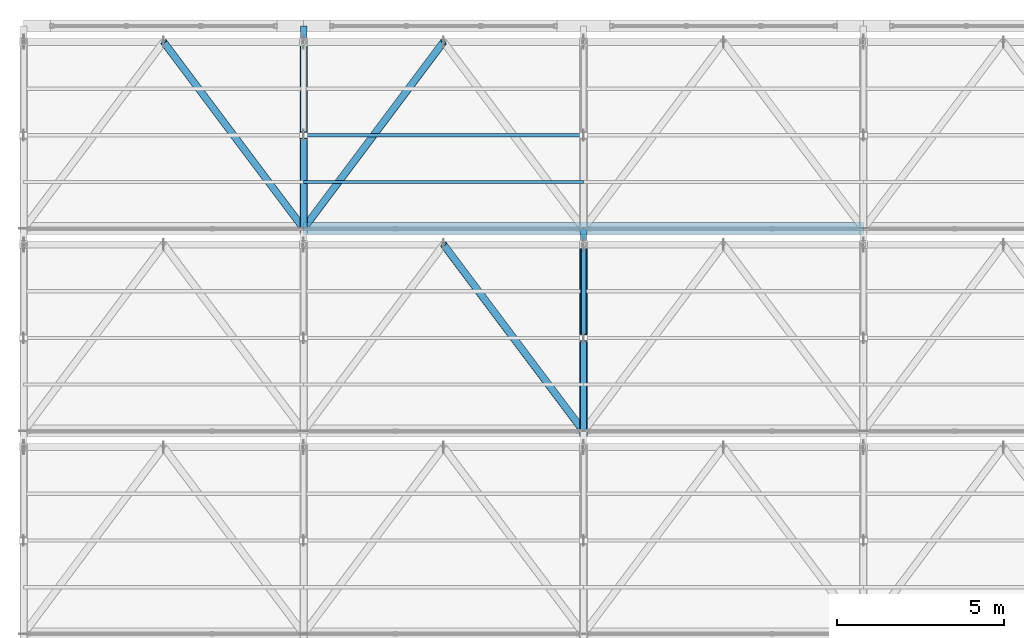
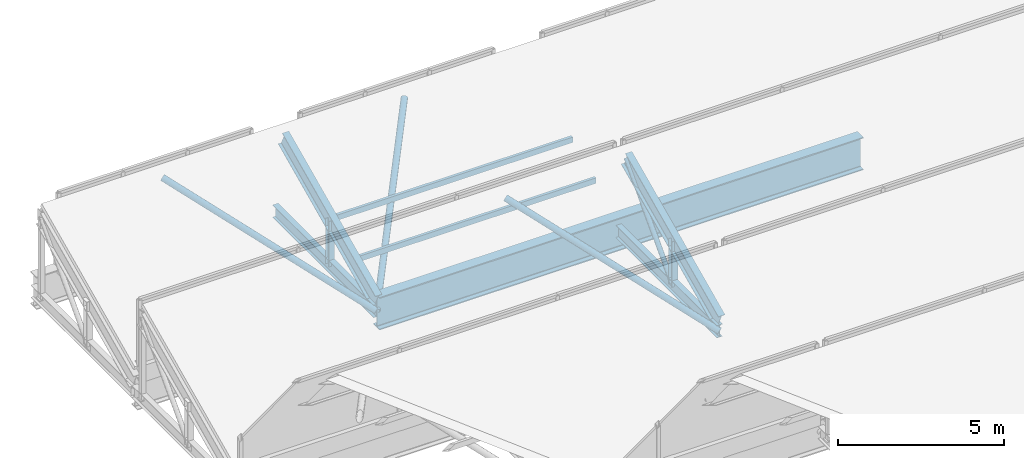
# One storey, part 105 of 217: 12 members, 1 beam.
"""IFC4 building model written with IfcOpenShell, lengths in metres."""

from ifc_helpers import new_model, si_unit, direction, frame, origin, origin_2d, place, context, subcontext, project, spatial, hollow_rectangle, hollow_circle, i_section, extrude, material, material_profile, profile_set, type_object, element, save


model = new_model("IFC4")

# Units and contexts
model_context = context("Model", 3, precision=1e-05, world=origin(), true_north=direction((0.0, 1.0)))
body_context = subcontext(model_context, "Body", "Model", "MODEL_VIEW")
ifc_project = project(units=[si_unit("LENGTHUNIT", "METRE"), si_unit("AREAUNIT", "SQUARE_METRE"), si_unit("VOLUMEUNIT", "CUBIC_METRE"), si_unit("PLANEANGLEUNIT", "RADIAN"), si_unit("MASSUNIT", "GRAM", prefix="KILO")], contexts=[model_context])

# Site, building, storey
site_placement = place(None, origin())
site = spatial("IfcSite", under=ifc_project, at=site_placement, CompositionType="ELEMENT")
building_placement = place(site_placement, origin())
building = spatial("IfcBuilding", under=site, at=building_placement, Name="Zuvorla Pavilion Media Centre", CompositionType="ELEMENT")
storey_placement = place(building_placement, frame((0.0, 0.0, 9.60009765625)))
storey = spatial("IfcBuildingStorey", under=building, at=storey_placement, Name="L02", CompositionType="ELEMENT", Elevation=9.60009765625)

# Beam
ifc_material = material(Name="Steel S355", Category="steel")
ifc_material_profile_1 = material_profile(ifc_material, i_section(OverallWidth=0.360107421875, OverallDepth=1.199951171875, WebThickness=0.02001953125, FlangeThickness=0.0380859375, FilletRadius=0.02392578125, at=origin_2d()), Name="PG 1200x360x38")
ifc_profile_set_1 = profile_set([ifc_material_profile_1], Name="Steel S355")
beam_type = type_object("IfcBeamType", Name="BM-PG1200", PredefinedType="BEAM", material=ifc_profile_set_1)
beam_placement = place(storey_placement, frame((75.199951171875, 113.919921875, -0.88818359375), z_axis=(1.0, 0.0, 0.0), x_axis=(0.0, 1.0, 0.0)))
element("IfcBeam", 1, at=beam_placement, inside=storey, type_object=beam_type, Name="L02 beam B01 1803", PredefinedType="BEAM", context=body_context, shape_type="SweptSolid", body=[
    extrude(i_section(OverallWidth=0.360107421875, OverallDepth=1.199951171875, WebThickness=0.02001953125, FlangeThickness=0.0380859375, FilletRadius=0.02392578125, at=origin_2d()), origin(), (0.0, 0.0, 1.0), 16.800048828125),
])

# Members
ifc_material_profile_2 = material_profile(ifc_material, hollow_circle(Radius=0.084228515625, WallThickness=0.008056640625, at=origin_2d()), Name="CHS 168.3x8")
ifc_profile_set_2 = profile_set([ifc_material_profile_2], Name="Steel S355")
member_type_1 = type_object("IfcMemberType", Name="MEM-BRC-CHS168", PredefinedType="BRACE", material=ifc_profile_set_2)
member_1_placement = place(storey_placement, frame((83.60009765625, 110.639892578125, -0.880126953125), z_axis=(0.0, 0.68676242614, 0.726881950555), x_axis=(-1.0, 0.0, 0.0)))
element("IfcMember", 2, at=member_1_placement, inside=storey, type_object=member_type_1, Name="L02 diagonal brace TB03 325", PredefinedType="BRACE", context=body_context, shape_type="SweptSolid", body=[
    extrude(hollow_circle(Radius=0.084228515625, WallThickness=0.008056640625, at=origin_2d()), origin(), (0.0, 0.0, 1.0), 4.0771484375),
])
ifc_material_profile_3 = material_profile(ifc_material, hollow_circle(Radius=0.109619140625, WallThickness=0.010009765625, at=origin_2d()), Name="CHS 219.1x10")
ifc_profile_set_3 = profile_set([ifc_material_profile_3], Name="Steel S355")
member_type_2 = type_object("IfcMemberType", Name="MEM-BRC-CHS219", PredefinedType="BRACE", material=ifc_profile_set_3)
for number, where, z_axis, x_axis, name in (
    (3, (79.39990234375, 113.43994140625, 2.08349609375), (0.552546982264, -0.73667578076, -0.389872577174), (0.799979073174, 0.600027901421, 0.0), "L02 diagonal brace TB02 365"),
    (4, (71.0, 119.52001953125, 2.08349609375), (0.552511596944, -0.736703540702, -0.389870271191), (0.800008370399, 0.599988839305, 0.0), "L02 diagonal brace TB02 452"),
    (5, (75.199951171875, 113.919921875, -0.880126953125), (0.552511596944, 0.736703540702, 0.389870271191), (-0.800008370399, 0.599988839305, 0.0), "L02 diagonal brace TB02 457"),
):
    element("IfcMember", number, at=place(storey_placement, frame(where, z_axis=z_axis, x_axis=x_axis)), inside=storey, type_object=member_type_2, Name=name, PredefinedType="BRACE", context=body_context, shape_type="SweptSolid", body=[
        extrude(hollow_circle(Radius=0.109619140625, WallThickness=0.010009765625, at=origin_2d()), origin(), (0.0, 0.0, 1.0), 7.6015625),
    ])
ifc_material_profile_4 = material_profile(ifc_material, i_section(OverallWidth=0.19140625, OverallDepth=0.4599609375, WebThickness=0.010009765625, FlangeThickness=0.01611328125, FilletRadius=0.01025390625, at=origin_2d()), Name="UB 457x191x82")
ifc_profile_set_4 = profile_set([ifc_material_profile_4], Name="Steel S355")
member_type_3 = type_object("IfcMemberType", Name="MEM-CHD-UB457", PredefinedType="CHORD", material=ifc_profile_set_4)
member_2_placement = place(storey_placement, frame((83.60009765625, 107.840087890625, -0.880126953125), z_axis=(0.0, 1.0, 0.0), x_axis=(-1.0, 0.0, 0.0)))
element("IfcMember", 6, at=member_2_placement, inside=storey, type_object=member_type_3, Name="L02 chord TC03 322", PredefinedType="CHORD", context=body_context, shape_type="SweptSolid", body=[
    extrude(i_section(OverallWidth=0.19140625, OverallDepth=0.4599609375, WebThickness=0.010009765625, FlangeThickness=0.01611328125, FilletRadius=0.01025390625, at=origin_2d()), origin(), (0.0, 0.0, 1.0), 6.079833984375),
])
member_3_placement = place(storey_placement, frame((75.199951171875, 113.919921875, -0.880126953125), z_axis=(0.0, 1.0, 0.0), x_axis=(-1.0, 0.0, 0.0)))
element("IfcMember", 7, at=member_3_placement, inside=storey, type_object=member_type_3, Name="L02 chord TC03 410", PredefinedType="CHORD", context=body_context, shape_type="SweptSolid", body=[
    extrude(i_section(OverallWidth=0.19140625, OverallDepth=0.4599609375, WebThickness=0.010009765625, FlangeThickness=0.01611328125, FilletRadius=0.01025390625, at=origin_2d()), origin(), (0.0, 0.0, 1.0), 6.080078125),
])
ifc_material_profile_5 = material_profile(ifc_material, i_section(OverallWidth=0.22900390625, OverallDepth=0.6123046875, WebThickness=0.011962890625, FlangeThickness=0.01953125, FilletRadius=0.0126953125, at=origin_2d()), Name="UB 610x229x125")
ifc_profile_set_5 = profile_set([ifc_material_profile_5], Name="Steel S355")
member_type_4 = type_object("IfcMemberType", Name="MEM-CHD-UB610", PredefinedType="CHORD", material=ifc_profile_set_5)
member_4_placement = place(storey_placement, frame((83.60009765625, 107.840087890625, -0.5166015625), z_axis=(0.0, 0.906998718654, 0.421133380724), x_axis=(-1.0, 0.0, 0.0)))
element("IfcMember", 8, at=member_4_placement, inside=storey, type_object=member_type_4, Name="L02 chord TC01 323", PredefinedType="CHORD", context=body_context, shape_type="SweptSolid", body=[
    extrude(i_section(OverallWidth=0.22900390625, OverallDepth=0.6123046875, WebThickness=0.011962890625, FlangeThickness=0.01953125, FilletRadius=0.0126953125, at=origin_2d()), origin(), (0.0, 0.0, 1.0), 6.174072265625),
])
member_5_placement = place(storey_placement, frame((75.199951171875, 113.919921875, -0.5166015625), z_axis=(0.0, 0.907005731366, 0.421118277053), x_axis=(-1.0, 0.0, 0.0)))
element("IfcMember", 9, at=member_5_placement, inside=storey, type_object=member_type_4, Name="L02 chord TC01 411", PredefinedType="CHORD", context=body_context, shape_type="SweptSolid", body=[
    extrude(i_section(OverallWidth=0.22900390625, OverallDepth=0.6123046875, WebThickness=0.011962890625, FlangeThickness=0.01953125, FilletRadius=0.0126953125, at=origin_2d()), origin(), (0.0, 0.0, 1.0), 6.17431640625),
])
ifc_material_profile_6 = material_profile(ifc_material, hollow_rectangle(XDim=0.10009765625, YDim=0.199951171875, WallThickness=0.008056640625, at=origin_2d()), Name="RHS 200x100x8")
ifc_profile_set_6 = profile_set([ifc_material_profile_6], Name="Steel S355")
member_type_5 = type_object("IfcMemberType", Name="MEM-PUR-RHS200", PredefinedType="PURLIN", material=ifc_profile_set_6)
for number, where, z_axis, x_axis, name in (
    (10, (75.199951171875, 115.320068359375, 0.133544921875), (1.0, 0.0, 0.0), (0.0, 1.0, 0.0), "L02 purlin PR01 459"),
    (11, (75.199951171875, 116.719970703125, 0.783447265625), (1.0, 0.0, 0.0), (0.0, 1.0, 0.0), "L02 purlin PR01 460"),
):
    element("IfcMember", number, at=place(storey_placement, frame(where, z_axis=z_axis, x_axis=x_axis)), inside=storey, type_object=member_type_5, Name=name, PredefinedType="PURLIN", context=body_context, shape_type="SweptSolid", body=[
        extrude(hollow_rectangle(XDim=0.10009765625, YDim=0.199951171875, WallThickness=0.008056640625, at=origin_2d()), origin(), (0.0, 0.0, 1.0), 8.400146484375),
    ])
ifc_material_profile_7 = material_profile(ifc_material, i_section(OverallWidth=0.205810546875, OverallDepth=0.209716796875, WebThickness=0.009521484375, FlangeThickness=0.01416015625, FilletRadius=0.01025390625, at=origin_2d()), Name="UC 203x203x60")
ifc_profile_set_7 = profile_set([ifc_material_profile_7], Name="Steel S355")
member_type_6 = type_object("IfcMemberType", Name="MEM-STR-UC203", PredefinedType="STRUT", material=ifc_profile_set_7)
for number, where, z_axis, x_axis, name in (
    (12, (83.60009765625, 110.639892578125, -0.880126953125), (0.0, 0.0, 1.0), (1.0, 0.0, 0.0), "L02 vertical strut TS02 326"),
    (13, (75.199951171875, 116.719970703125, -0.880126953125), (0.0, 0.0, 1.0), (1.0, 0.0, 0.0), "L02 vertical strut TS02 414"),
):
    element("IfcMember", number, at=place(storey_placement, frame(where, z_axis=z_axis, x_axis=x_axis)), inside=storey, type_object=member_type_6, Name=name, PredefinedType="STRUT", context=body_context, shape_type="SweptSolid", body=[
        extrude(i_section(OverallWidth=0.205810546875, OverallDepth=0.209716796875, WebThickness=0.009521484375, FlangeThickness=0.01416015625, FilletRadius=0.01025390625, at=origin_2d()), origin(), (0.0, 0.0, 1.0), 1.66357421875),
    ])

save(model, "model.ifc")
